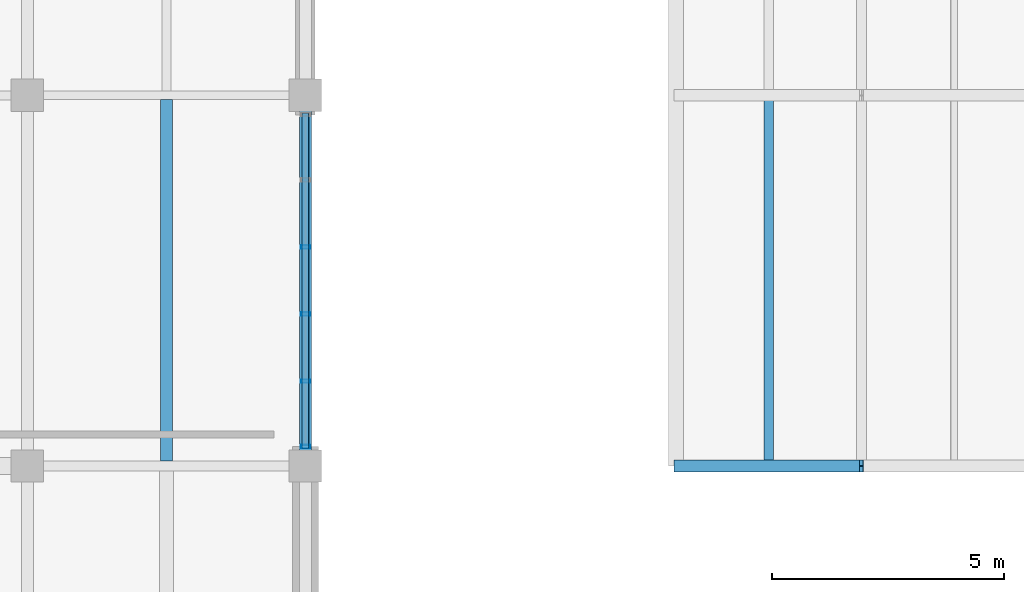
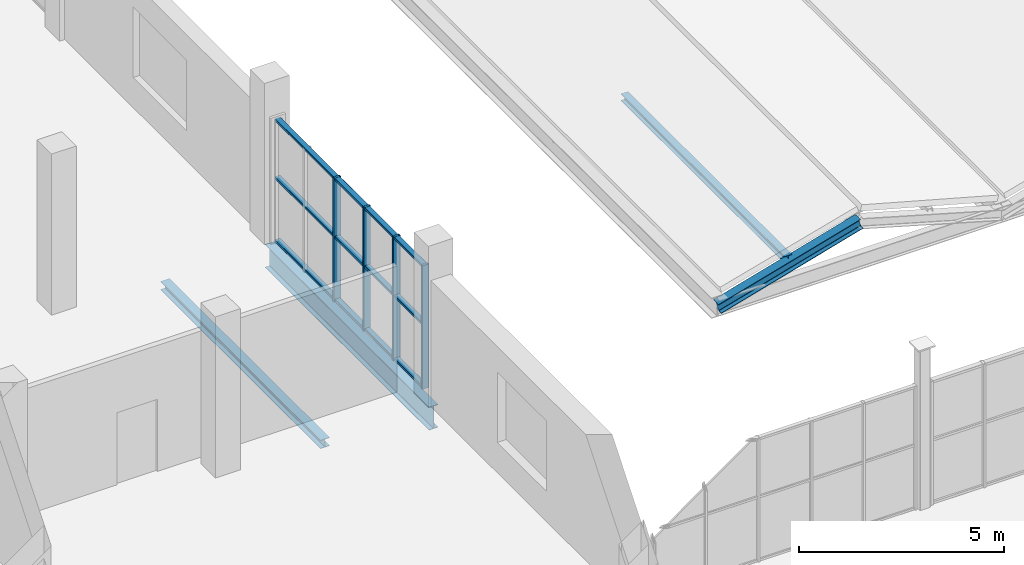
# One storey, part 56 of 114: 9 members, 2 beams, 1 element without a shape of its own.
"""IFC4 building model written with IfcOpenShell, lengths in metres."""

from ifc_helpers import new_model, si_unit, direction, frame, origin, origin_2d, place, context, subcontext, project, spatial, hollow_rectangle, i_section, extrude, material, material_profile, profile_set, type_object, element, aggregate, save


model = new_model("IFC4")

# Units and contexts
model_context = context("Model", 3, precision=1e-05, world=origin(), true_north=direction((0.0, 1.0)))
body_context = subcontext(model_context, "Body", "Model", "MODEL_VIEW")
ifc_project = project(units=[si_unit("LENGTHUNIT", "METRE"), si_unit("AREAUNIT", "SQUARE_METRE"), si_unit("VOLUMEUNIT", "CUBIC_METRE"), si_unit("PLANEANGLEUNIT", "RADIAN"), si_unit("MASSUNIT", "GRAM", prefix="KILO")], contexts=[model_context])

# Site, building, storey
site_placement = place(None, origin())
site = spatial("IfcSite", under=ifc_project, at=site_placement, CompositionType="ELEMENT")
building_placement = place(site_placement, origin())
building = spatial("IfcBuilding", under=site, at=building_placement, Name="Verrall Gate Interchange", CompositionType="ELEMENT")
storey_placement = place(building_placement, frame((0.0, 0.0, 6.60009765625)))
storey = spatial("IfcBuildingStorey", under=building, at=storey_placement, Name="L02", CompositionType="ELEMENT", Elevation=6.60009765625)

# Beam
ifc_material_1 = material(Name="Structural Steel CSA G40.21 350WT Cat 4", Category="steel")
ifc_material_profile_1 = material_profile(ifc_material_1, i_section(OverallWidth=0.256103515625, OverallDepth=0.693115234375, WebThickness=0.01318359375, FlangeThickness=0.02001953125, FilletRadius=0.01611328125, at=origin_2d()), Name="W690x170")
ifc_profile_set_1 = profile_set([ifc_material_profile_1], Name="Structural Steel CSA G40.21 350WT Cat 4")
beam_type_1 = type_object("IfcBeamType", Name="B-07 Structural Beam W690x170", PredefinedType="BEAM", material=ifc_profile_set_1)
beam_1_placement = place(storey_placement, frame((36.0, 66.0, -0.626708984375), z_axis=(0.0, 1.0, 0.0), x_axis=(-1.0, 0.0, 0.0)))
element("IfcBeam", 1, at=beam_1_placement, inside=storey, type_object=beam_type_1, Name="L02 Girder BM-L02-1729 (B-07)", PredefinedType="BEAM", context=body_context, shape_type="SweptSolid", body=[
    extrude(i_section(OverallWidth=0.256103515625, OverallDepth=0.693115234375, WebThickness=0.01318359375, FlangeThickness=0.02001953125, FilletRadius=0.01611328125, at=origin_2d()), origin(), (0.0, 0.0, 1.0), 8.0),
])

# Curtain wall, members
ifc_material_2 = material(Name="Thermally Broken Anodized Aluminium Curtain Wall Framing", Category="aluminium")
curtain_wall_type = type_object("IfcCurtainWallType", Name="CW-26 Unitized Curtain Wall 7186x3680", PredefinedType="NOTDEFINED", material=ifc_material_2)
curtain_wall_placement = place(storey_placement, origin())
curtain_wall = element("IfcCurtainWall", 2, at=curtain_wall_placement, inside=storey, type_object=curtain_wall_type, Name="L02 Unitized Curtain Wall CW-L02-101", PredefinedType="NOTDEFINED")
ifc_material_3 = material(Name="Thermally Broken Anodized Aluminium Curtain Wall Framing", Category="aluminium")
ifc_material_profile_2 = material_profile(ifc_material_3, hollow_rectangle(XDim=0.074951171875, YDim=0.199951171875, WallThickness=0.0048828125, InnerFilletRadius=0.0048828125, OuterFilletRadius=0.010009765625, at=origin_2d()), Name="CWM200x75x5")
ifc_profile_set_2 = profile_set([ifc_material_profile_2], Name="Thermally Broken Anodized Aluminium Curtain Wall Framing")
member_type_1 = type_object("IfcMemberType", Name="CM-02 Curtain Mullion CWM200x75x5", PredefinedType="MULLION", material=ifc_profile_set_2)
member_1_placement = place(storey_placement, frame((36.0, 66.41943359375, 0.0), z_axis=(0.0, 0.0, 1.0), x_axis=(0.0, 1.0, 0.0)))
member_1 = element("IfcMember", 3, at=member_1_placement, type_object=member_type_1, Name="CW-L02-101 Mullion 1", PredefinedType="MULLION", context=body_context, shape_type="SweptSolid", body=[
    extrude(hollow_rectangle(XDim=0.074951171875, YDim=0.199951171875, WallThickness=0.0048828125, InnerFilletRadius=0.0048828125, OuterFilletRadius=0.010009765625, at=origin_2d()), origin(), (0.0, 0.0, 1.0), 3.679931640625),
])
member_2_placement = place(storey_placement, frame((36.0, 67.8291015625, 0.0), z_axis=(0.0, 0.0, 1.0), x_axis=(0.0, 1.0, 0.0)))
member_2 = element("IfcMember", 4, at=member_2_placement, type_object=member_type_1, Name="CW-L02-101 Mullion 2", PredefinedType="MULLION", context=body_context, shape_type="SweptSolid", body=[
    extrude(hollow_rectangle(XDim=0.074951171875, YDim=0.199951171875, WallThickness=0.0048828125, InnerFilletRadius=0.0048828125, OuterFilletRadius=0.010009765625, at=origin_2d()), origin(), (0.0, 0.0, 1.0), 3.679931640625),
])
member_3_placement = place(storey_placement, frame((36.0, 69.2763671875, 0.0), z_axis=(0.0, 0.0, 1.0), x_axis=(0.0, 1.0, 0.0)))
member_3 = element("IfcMember", 5, at=member_3_placement, type_object=member_type_1, Name="CW-L02-101 Mullion 3", PredefinedType="MULLION", context=body_context, shape_type="SweptSolid", body=[
    extrude(hollow_rectangle(XDim=0.074951171875, YDim=0.199951171875, WallThickness=0.0048828125, InnerFilletRadius=0.0048828125, OuterFilletRadius=0.010009765625, at=origin_2d()), origin(), (0.0, 0.0, 1.0), 3.679931640625),
])
member_4_placement = place(storey_placement, frame((36.0, 70.7236328125, 0.0), z_axis=(0.0, 0.0, 1.0), x_axis=(0.0, 1.0, 0.0)))
member_4 = element("IfcMember", 6, at=member_4_placement, type_object=member_type_1, Name="CW-L02-101 Mullion 4", PredefinedType="MULLION", context=body_context, shape_type="SweptSolid", body=[
    extrude(hollow_rectangle(XDim=0.074951171875, YDim=0.199951171875, WallThickness=0.0048828125, InnerFilletRadius=0.0048828125, OuterFilletRadius=0.010009765625, at=origin_2d()), origin(), (0.0, 0.0, 1.0), 3.679931640625),
])
ifc_material_4 = material(Name="Thermally Broken Anodized Aluminium Curtain Wall Framing", Category="aluminium")
ifc_material_profile_3 = material_profile(ifc_material_4, hollow_rectangle(XDim=0.14990234375, YDim=0.074951171875, WallThickness=0.00439453125, InnerFilletRadius=0.00439453125, OuterFilletRadius=0.009033203125, at=origin_2d()), Name="CWT150x75x4.5")
ifc_profile_set_3 = profile_set([ifc_material_profile_3], Name="Thermally Broken Anodized Aluminium Curtain Wall Framing")
member_type_2 = type_object("IfcMemberType", Name="CT-02 Curtain Transom CWT150x75x4.5", PredefinedType="USERDEFINED", material=ifc_profile_set_3)
member_5_placement = place(storey_placement, frame((36.0, 66.382080078125, 0.037353515625), z_axis=(0.0, 1.0, 0.0), x_axis=(-1.0, 0.0, 0.0)))
member_5 = element("IfcMember", 7, at=member_5_placement, type_object=member_type_2, Name="CW-L02-101 Transom 1", ObjectType="TRANSOM", PredefinedType="USERDEFINED", context=body_context, shape_type="SweptSolid", body=[
    extrude(hollow_rectangle(XDim=0.14990234375, YDim=0.074951171875, WallThickness=0.00439453125, InnerFilletRadius=0.00439453125, OuterFilletRadius=0.009033203125, at=origin_2d()), origin(), (0.0, 0.0, 1.0), 7.23583984375),
])
member_6_placement = place(storey_placement, frame((36.0, 66.382080078125, 1.91357421875), z_axis=(0.0, 1.0, 0.0), x_axis=(-1.0, 0.0, 0.0)))
member_6 = element("IfcMember", 8, at=member_6_placement, type_object=member_type_2, Name="CW-L02-101 Transom 2", ObjectType="TRANSOM", PredefinedType="USERDEFINED", context=body_context, shape_type="SweptSolid", body=[
    extrude(hollow_rectangle(XDim=0.14990234375, YDim=0.074951171875, WallThickness=0.00439453125, InnerFilletRadius=0.00439453125, OuterFilletRadius=0.009033203125, at=origin_2d()), origin(), (0.0, 0.0, 1.0), 7.23583984375),
])
member_7_placement = place(storey_placement, frame((36.0, 66.382080078125, 3.642333984375), z_axis=(0.0, 1.0, 0.0), x_axis=(-1.0, 0.0, 0.0)))
member_7 = element("IfcMember", 9, at=member_7_placement, type_object=member_type_2, Name="CW-L02-101 Transom 3", ObjectType="TRANSOM", PredefinedType="USERDEFINED", context=body_context, shape_type="SweptSolid", body=[
    extrude(hollow_rectangle(XDim=0.14990234375, YDim=0.074951171875, WallThickness=0.00439453125, InnerFilletRadius=0.00439453125, OuterFilletRadius=0.009033203125, at=origin_2d()), origin(), (0.0, 0.0, 1.0), 7.23583984375),
])
aggregate(curtain_wall, [member_1, member_2, member_3, member_4, member_5, member_6, member_7])

# Beam
ifc_material_5 = material(Name="Structural Steel CSA G40.21 350W", Category="steel")
ifc_material_profile_4 = material_profile(ifc_material_5, i_section(OverallWidth=0.25390625, OverallDepth=0.2529296875, WebThickness=0.008544921875, FlangeThickness=0.01416015625, FilletRadius=0.011962890625, at=origin_2d()), Name="W250x73")
ifc_profile_set_4 = profile_set([ifc_material_profile_4], Name="Structural Steel CSA G40.21 350W")
beam_type_2 = type_object("IfcBeamType", Name="J-05 Floor Joist W250x73", PredefinedType="JOIST", material=ifc_profile_set_4)
beam_2_placement = place(storey_placement, frame((33.0, 66.1025390625, -0.406494140625), z_axis=(0.0, 1.0, 0.0), x_axis=(-1.0, 0.0, 0.0)))
element("IfcBeam", 10, at=beam_2_placement, inside=storey, type_object=beam_type_2, Name="L02 Secondary Floor Joist JST-L02-1968", PredefinedType="JOIST", context=body_context, shape_type="SweptSolid", body=[
    extrude(i_section(OverallWidth=0.25390625, OverallDepth=0.2529296875, WebThickness=0.008544921875, FlangeThickness=0.01416015625, FilletRadius=0.011962890625, at=origin_2d()), origin(), (0.0, 0.0, 1.0), 7.807861328125),
])

# Members
ifc_material_6 = material(Name="Structural Steel CSA G40.21 350WT Cat 4", Category="steel")
ifc_material_profile_5 = material_profile(ifc_material_6, i_section(OverallWidth=0.202880859375, OverallDepth=0.202880859375, WebThickness=0.007080078125, FlangeThickness=0.010986328125, FilletRadius=0.010009765625, at=origin_2d()), Name="W200x46")
ifc_profile_set_5 = profile_set([ifc_material_profile_5], Name="Structural Steel CSA G40.21 350WT Cat 4")
member_type_3 = type_object("IfcMemberType", Name="PR-02 Roof Purlin W200x46", PredefinedType="PURLIN", material=ifc_profile_set_5)
member_8_placement = place(storey_placement, frame((46.0, 66.0, 0.59326171875), z_axis=(0.0, 1.0, 0.0), x_axis=(-1.0, 0.0, 0.0)))
element("IfcMember", 11, at=member_8_placement, inside=storey, type_object=member_type_3, Name="Bus Roof Purlin W 1.66", PredefinedType="PURLIN", context=body_context, shape_type="SweptSolid", body=[
    extrude(i_section(OverallWidth=0.202880859375, OverallDepth=0.202880859375, WebThickness=0.007080078125, FlangeThickness=0.010986328125, FilletRadius=0.010009765625, at=origin_2d()), origin(), (0.0, 0.0, 1.0), 8.0),
])
ifc_material_7 = material(Name="Structural Steel CSA G40.21 350WT Cat 4", Category="steel")
ifc_material_profile_6 = material_profile(ifc_material_7, i_section(OverallWidth=0.25390625, OverallDepth=0.305908203125, WebThickness=0.0087890625, FlangeThickness=0.0146484375, FilletRadius=0.012939453125, at=origin_2d()), Name="W310x79")
ifc_profile_set_6 = profile_set([ifc_material_profile_6], Name="Structural Steel CSA G40.21 350WT Cat 4")
member_type_4 = type_object("IfcMemberType", Name="RF-03 Folded Roof Rafter W310x79", PredefinedType="RAFTER", material=ifc_profile_set_6)
member_9_placement = place(storey_placement, frame((44.0, 66.0, -0.126708984375), z_axis=(0.961711999212, 0.0, 0.274062092549), x_axis=(0.0, 1.0, 0.0)))
element("IfcMember", 12, at=member_9_placement, inside=storey, type_object=member_type_4, Name="Bus Roof Rafter W 1.66", PredefinedType="RAFTER", context=body_context, shape_type="SweptSolid", body=[
    extrude(i_section(OverallWidth=0.25390625, OverallDepth=0.305908203125, WebThickness=0.0087890625, FlangeThickness=0.0146484375, FilletRadius=0.012939453125, at=origin_2d()), origin(), (0.0, 0.0, 1.0), 4.1591796875),
])

save(model, "model.ifc")
